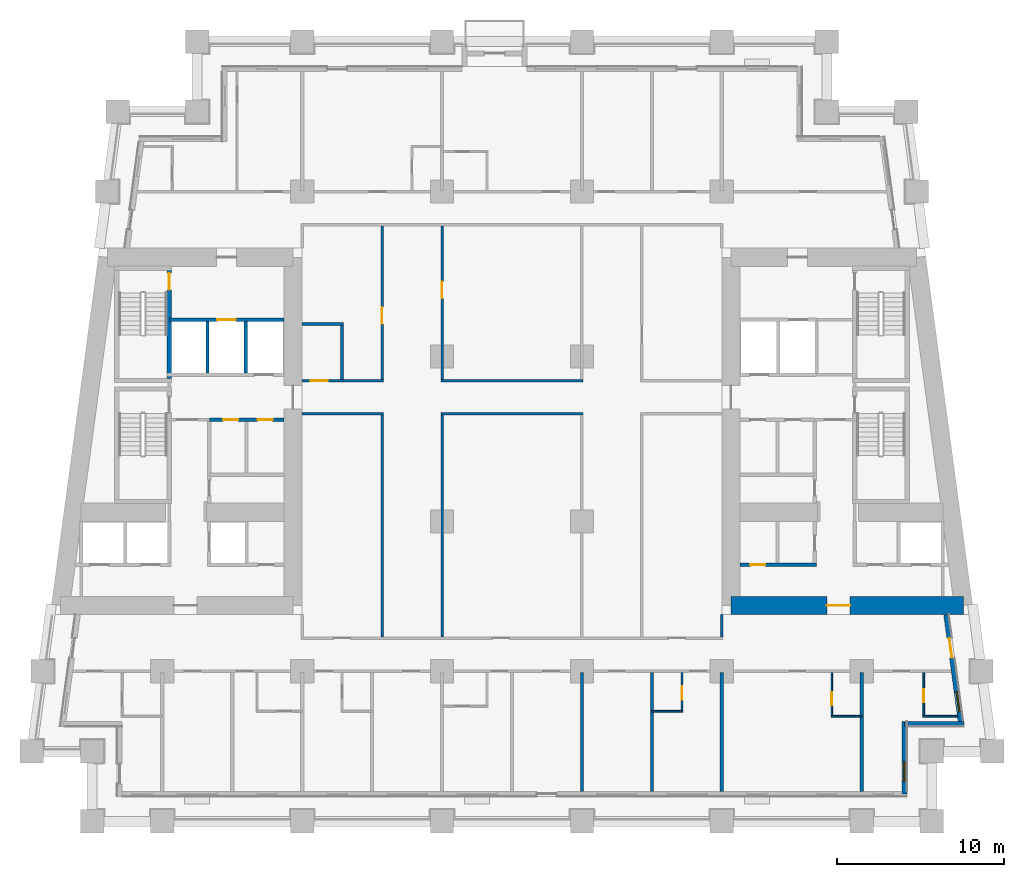
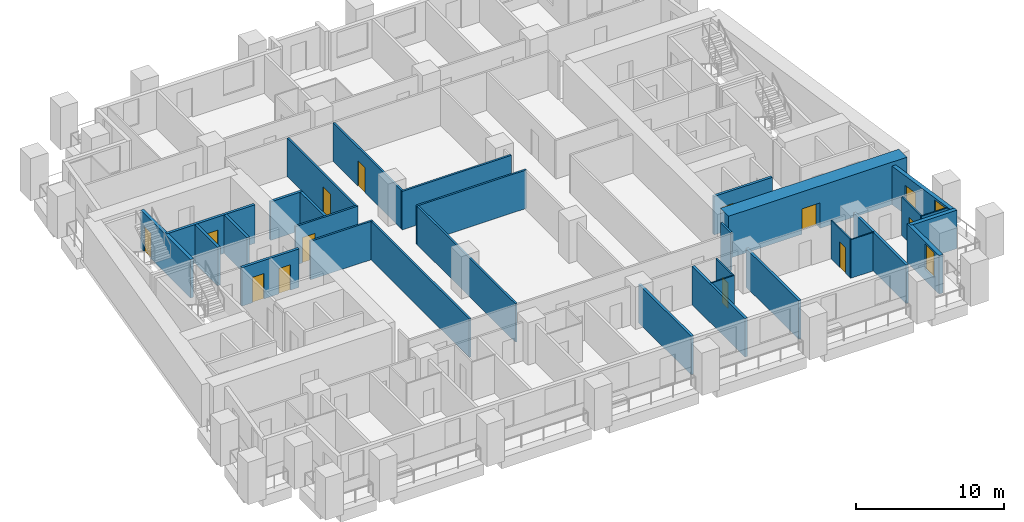
# One storey, part 4 of 12: 31 walls, 13 doors, 2 windows, 15 openings.
"""IFC4 building model written with IfcOpenShell, lengths in metres."""

from ifc_helpers import new_model, si_unit, direction, frame, frame_2d, origin, place, context, subcontext, project, spatial, rectangle, extrude, material, layer, layer_set, type_object, element, fill, save


model = new_model("IFC4")

# Units and contexts
model_context = context("Model", 3, precision=1e-05, world=origin(), true_north=direction((0.0, 1.0)))
body_context = subcontext(model_context, "Body", "Model", "MODEL_VIEW")
ifc_project = project(units=[si_unit("LENGTHUNIT", "METRE"), si_unit("AREAUNIT", "SQUARE_METRE"), si_unit("VOLUMEUNIT", "CUBIC_METRE"), si_unit("PLANEANGLEUNIT", "RADIAN"), si_unit("MASSUNIT", "GRAM", prefix="KILO")], contexts=[model_context])

# Site, building, storey
site_placement = place(None, origin())
site = spatial("IfcSite", under=ifc_project, at=site_placement, CompositionType="ELEMENT")
building_placement = place(site_placement, origin())
building = spatial("IfcBuilding", under=site, at=building_placement, Name="Candeia Pilgrim Tower and Theatre", CompositionType="ELEMENT")
storey_placement = place(building_placement, frame((0.0, 0.0, 53.0)))
storey = spatial("IfcBuildingStorey", under=building, at=storey_placement, Name="L10", CompositionType="ELEMENT", Elevation=53.0)

# Wall, opening, door
ifc_material_1 = material(Name="Concrete C80/95", Category="concrete")
ifc_layer_1 = layer(ifc_material_1, 1.10009765625)
ifc_layer_set_1 = layer_set([ifc_layer_1], Name="Core wall 1100 C80/95")
wall_type_1 = type_object("IfcWallType", Name="Core wall 1100 C80/95", PredefinedType="SHEAR", material=ifc_layer_set_1)
wall_1_placement = place(storey_placement, frame((140.501708984375, 110.949951171875, 0.0), z_axis=(0.0, 0.0, 1.0), x_axis=(-1.0, 0.0, 0.0)))
wall_1 = element("IfcWall", 1, at=wall_1_placement, inside=storey, type_object=wall_type_1, Name="Core wall E3", PredefinedType="SHEAR", context=body_context, shape_type="SweptSolid", body=[
    extrude(rectangle(XDim=13.95166015625, YDim=1.10009765625, at=frame_2d((6.975830078125, 0.0))), origin(), (0.0, 0.0, 1.0), 3.5),
])
opening_1_placement = place(wall_1_placement, frame((6.80419921875, 0.0, 0.0)))
opening_1 = element("IfcOpeningElement", 2, at=opening_1_placement, cuts=wall_1, Name="Opening L10-D055", PredefinedType="OPENING", context=body_context, shape_type="SweptSolid", body=[
    extrude(rectangle(XDim=1.39990234375, YDim=2.10009765625, at=frame_2d((0.699951171875, 1.050048828125))), frame((0.0, 0.56005859375, 0.0), z_axis=(0.0, -1.0, 0.0), x_axis=(1.0, 0.0, 0.0)), (0.0, 0.0, 1.0), 1.1201171875),
])
ifc_material_2 = material(Name="Steel fire door set", Category="steel")
door_type_1 = type_object("IfcDoorType", Name="D-1400-FD60", OperationType="NOTDEFINED", PredefinedType="DOOR", material=ifc_material_2)
door_1_placement = place(opening_1_placement, origin())
door_1 = element("IfcDoor", 3, at=door_1_placement, inside=storey, type_object=door_type_1, Name="Door L10-D055", OperationType="SINGLE_SWING_LEFT", OverallHeight=2.10009765625, OverallWidth=1.39990234375, PredefinedType="DOOR", context=body_context, shape_type="SweptSolid", body=[
    extrude(rectangle(XDim=1.39990234375, YDim=2.10009765625, at=frame_2d((0.699951171875, 1.050048828125))), frame((0.0, 0.02490234375, 0.0), z_axis=(0.0, -1.0, 0.0), x_axis=(1.0, 0.0, 0.0)), (0.0, 0.0, 1.0), 0.050048828125),
])
fill(opening_1, door_1)

# Wall, opening, window
ifc_material_3 = material(Name="Ceramic block masonry", Category="masonry")
ifc_layer_2 = layer(ifc_material_3, 0.300048828125)
ifc_layer_set_2 = layer_set([ifc_layer_2], Name="EW1 glazing-line wall 300")
wall_type_2 = type_object("IfcWallType", Name="EW1 glazing-line wall 300", PredefinedType="SOLIDWALL", material=ifc_layer_set_2)
wall_2_placement = place(storey_placement, frame((136.949951171875, 99.64990234375, 0.0), z_axis=(0.0, 0.0, 1.0), x_axis=(0.0, 1.0, 0.0)))
wall_2 = element("IfcWall", 4, at=wall_2_placement, inside=storey, type_object=wall_type_2, Name="External wall L10-1.0", PredefinedType="SOLIDWALL", context=body_context, shape_type="SweptSolid", body=[
    extrude(rectangle(XDim=4.35009765625, YDim=0.300048828125, at=frame_2d((2.175048828125, 0.0))), origin(), (0.0, 0.0, 1.0), 3.179931640625),
])
opening_2_placement = place(wall_2_placement, frame((0.72509765625, 0.0, 0.89990234375)))
opening_2 = element("IfcOpeningElement", 5, at=opening_2_placement, cuts=wall_2, Name="Opening W-B", PredefinedType="OPENING", context=body_context, shape_type="SweptSolid", body=[
    extrude(rectangle(XDim=1.199951171875, YDim=2.10009765625, at=frame_2d((0.60009765625, 1.050048828125))), frame((0.0, 0.16015625, 0.0), z_axis=(0.0, -1.0, 0.0), x_axis=(1.0, 0.0, 0.0)), (0.0, 0.0, 1.0), 0.320068359375),
])
ifc_material_4 = material(Name="Aluminium framed double glazing", Category="aluminium")
window_type = type_object("IfcWindowType", Name="W-B window 1200x2100", PartitioningType="SINGLE_PANEL", PredefinedType="WINDOW", material=ifc_material_4)
window_1_placement = place(opening_2_placement, origin())
window_1 = element("IfcWindow", 6, at=window_1_placement, inside=storey, type_object=window_type, Name="Window W-B L10", OverallHeight=2.10009765625, OverallWidth=1.199951171875, PartitioningType="SINGLE_PANEL", PredefinedType="WINDOW", context=body_context, shape_type="SweptSolid", body=[
    extrude(rectangle(XDim=1.199951171875, YDim=2.10009765625, at=frame_2d((0.60009765625, 1.050048828125))), frame((0.0, 0.030029296875, 0.0), z_axis=(0.0, -1.0, 0.0), x_axis=(1.0, 0.0, 0.0)), (0.0, 0.0, 1.0), 0.06005859375),
])
fill(opening_2, window_1)

# Wall
wall_3_placement = place(storey_placement, frame((136.949951171875, 103.85009765625, 0.0), z_axis=(0.0, 0.0, 1.0), x_axis=(1.0, 0.0, 0.0)))
element("IfcWall", 7, at=wall_3_placement, inside=storey, type_object=wall_type_2, Name="External wall L10-2.0", PredefinedType="SOLIDWALL", context=body_context, shape_type="SweptSolid", body=[
    extrude(rectangle(XDim=3.569091796875, YDim=0.300048828125, at=frame_2d((1.78466796875, 0.0))), origin(), (0.0, 0.0, 1.0), 3.179931640625),
])

# Wall, openings, door, window
wall_4_placement = place(storey_placement, frame((140.34765625, 103.85009765625, 0.0), z_axis=(0.0, 0.0, 1.0), x_axis=(-0.133431549479, 0.991058031401, 0.0)))
wall_4 = element("IfcWall", 8, at=wall_4_placement, inside=storey, type_object=wall_type_2, Name="External wall L10-3.0", PredefinedType="SOLIDWALL", context=body_context, shape_type="SweptSolid", body=[
    extrude(rectangle(XDim=6.60888671875, YDim=0.300048828125, at=frame_2d((3.304443359375, 0.0))), origin(), (0.0, 0.0, 1.0), 3.179931640625),
])
opening_3_placement = place(wall_4_placement, frame((0.736572265625, 0.0, 0.89990234375)))
opening_3 = element("IfcOpeningElement", 9, at=opening_3_placement, cuts=wall_4, Name="Opening W-B", PredefinedType="OPENING", context=body_context, shape_type="SweptSolid", body=[
    extrude(rectangle(XDim=1.199951171875, YDim=2.10009765625, at=frame_2d((0.60009765625, 1.050048828125))), frame((0.0, 0.16015625, 0.0), z_axis=(0.0, -1.0, 0.0), x_axis=(1.0, 0.0, 0.0)), (0.0, 0.0, 1.0), 0.320068359375),
])
opening_4_placement = place(wall_4_placement, frame((3.990966796875, 0.0, 0.0)))
opening_4 = element("IfcOpeningElement", 10, at=opening_4_placement, cuts=wall_4, Name="Opening L10-ED121", PredefinedType="OPENING", context=body_context, shape_type="SweptSolid", body=[
    extrude(rectangle(XDim=1.199951171875, YDim=2.39990234375, at=frame_2d((0.60009765625, 1.199951171875))), frame((0.0, 0.16015625, 0.0), z_axis=(0.0, -1.0, 0.0), x_axis=(1.0, 0.0, 0.0)), (0.0, 0.0, 1.0), 0.320068359375),
])
ifc_material_5 = material(Name="Aluminium framed glazed door", Category="aluminium")
door_type_2 = type_object("IfcDoorType", Name="Loggia door 1200x2400", OperationType="DOUBLE_DOOR_SINGLE_SWING", PredefinedType="DOOR", material=ifc_material_5)
door_2_placement = place(opening_4_placement, origin())
door_2 = element("IfcDoor", 11, at=door_2_placement, inside=storey, type_object=door_type_2, Name="Loggia door L10-ED121", OperationType="DOUBLE_DOOR_SINGLE_SWING", OverallHeight=2.39990234375, OverallWidth=1.199951171875, PredefinedType="DOOR", context=body_context, shape_type="SweptSolid", body=[
    extrude(rectangle(XDim=1.199951171875, YDim=2.39990234375, at=frame_2d((0.60009765625, 1.199951171875))), frame((0.0, 0.02490234375, 0.0), z_axis=(0.0, -1.0, 0.0), x_axis=(1.0, 0.0, 0.0)), (0.0, 0.0, 1.0), 0.050048828125),
])
fill(opening_4, door_2)
window_2_placement = place(opening_3_placement, origin())
window_2 = element("IfcWindow", 12, at=window_2_placement, inside=storey, type_object=window_type, Name="Window W-B L10", OverallHeight=2.10009765625, OverallWidth=1.199951171875, PartitioningType="SINGLE_PANEL", PredefinedType="WINDOW", context=body_context, shape_type="SweptSolid", body=[
    extrude(rectangle(XDim=1.199951171875, YDim=2.10009765625, at=frame_2d((0.60009765625, 1.050048828125))), frame((0.0, 0.030029296875, 0.0), z_axis=(0.0, -1.0, 0.0), x_axis=(1.0, 0.0, 0.0)), (0.0, 0.0, 1.0), 0.06005859375),
])
fill(opening_3, window_2)

# Walls
ifc_material_6 = material(Name="Gypsum board partition on steel studs", Category="steel")
ifc_layer_3 = layer(ifc_material_6, 0.10009765625)
ifc_layer_set_3 = layer_set([ifc_layer_3], Name="PW-100 room partition")
wall_type_3 = type_object("IfcWallType", Name="PW-100 room partition", PredefinedType="PARTITIONING", material=ifc_layer_set_3)
wall_5_placement = place(storey_placement, frame((132.550048828125, 104.300048828125, 0.0), z_axis=(0.0, 0.0, 1.0), x_axis=(1.0, 0.0, 0.0)))
element("IfcWall", 13, at=wall_5_placement, inside=storey, type_object=wall_type_3, Name="Room partition L10-002", PredefinedType="PARTITIONING", context=body_context, shape_type="SweptSolid", body=[
    extrude(rectangle(XDim=1.849853515625, YDim=0.10009765625, at=frame_2d((0.9248046875, 0.0))), origin(), (0.0, 0.0, 1.0), 3.179931640625),
])
wall_6_placement = place(storey_placement, frame((138.070068359375, 104.300048828125, 0.0), z_axis=(0.0, 0.0, 1.0), x_axis=(1.0, 0.0, 0.0)))
element("IfcWall", 14, at=wall_6_placement, inside=storey, type_object=wall_type_3, Name="Room partition L10-003", PredefinedType="PARTITIONING", context=body_context, shape_type="SweptSolid", body=[
    extrude(rectangle(XDim=2.07568359375, YDim=0.10009765625, at=frame_2d((1.037841796875, 0.0))), origin(), (0.0, 0.0, 1.0), 3.179931640625),
])
wall_7_placement = place(storey_placement, frame((121.800048828125, 104.60009765625, 0.0), z_axis=(0.0, 0.0, 1.0), x_axis=(1.0, 0.0, 0.0)))
element("IfcWall", 15, at=wall_7_placement, inside=storey, type_object=wall_type_3, Name="Room partition L10-006", PredefinedType="PARTITIONING", context=body_context, shape_type="SweptSolid", body=[
    extrude(rectangle(XDim=1.849853515625, YDim=0.10009765625, at=frame_2d((0.9248046875, 0.0))), origin(), (0.0, 0.0, 1.0), 3.179931640625),
])

# Wall, opening, door
wall_8_placement = place(storey_placement, frame((123.60009765625, 104.64990234375, 0.0), z_axis=(0.0, 0.0, 1.0), x_axis=(0.0, 1.0, 0.0)))
wall_8 = element("IfcWall", 16, at=wall_8_placement, inside=storey, type_object=wall_type_3, Name="Room partition L10-094", PredefinedType="PARTITIONING", context=body_context, shape_type="SweptSolid", body=[
    extrude(rectangle(XDim=2.275146484375, YDim=0.10009765625, at=frame_2d((1.1376953125, 0.0))), origin(), (0.0, 0.0, 1.0), 3.179931640625),
])
opening_5_placement = place(wall_8_placement, frame((0.659912109375, 0.0, 0.0)))
opening_5 = element("IfcOpeningElement", 17, at=opening_5_placement, cuts=wall_8, Name="Opening L10-D030", PredefinedType="OPENING", context=body_context, shape_type="SweptSolid", body=[
    extrude(rectangle(XDim=0.800048828125, YDim=2.10009765625, at=frame_2d((0.39990234375, 1.050048828125))), frame((0.0, 0.06005859375, 0.0), z_axis=(0.0, -1.0, 0.0), x_axis=(1.0, 0.0, 0.0)), (0.0, 0.0, 1.0), 0.1201171875),
])
ifc_material_7 = material(Name="Timber door leaf", Category="wood")
door_type_3 = type_object("IfcDoorType", Name="D-800", OperationType="NOTDEFINED", PredefinedType="DOOR", material=ifc_material_7)
door_3_placement = place(opening_5_placement, origin())
door_3 = element("IfcDoor", 18, at=door_3_placement, inside=storey, type_object=door_type_3, Name="Door L10-D030", OperationType="SINGLE_SWING_RIGHT", OverallHeight=2.10009765625, OverallWidth=0.800048828125, PredefinedType="DOOR", context=body_context, shape_type="SweptSolid", body=[
    extrude(rectangle(XDim=0.800048828125, YDim=2.10009765625, at=frame_2d((0.39990234375, 1.050048828125))), frame((0.0, 0.02490234375, 0.0), z_axis=(0.0, -1.0, 0.0), x_axis=(1.0, 0.0, 0.0)), (0.0, 0.0, 1.0), 0.050048828125),
])
fill(opening_5, door_3)

wall_9_placement = place(storey_placement, frame((132.60009765625, 104.35009765625, 0.0), z_axis=(0.0, 0.0, 1.0), x_axis=(0.0, 1.0, 0.0)))
wall_9 = element("IfcWall", 19, at=wall_9_placement, inside=storey, type_object=wall_type_3, Name="Room partition L10-106", PredefinedType="PARTITIONING", context=body_context, shape_type="SweptSolid", body=[
    extrude(rectangle(XDim=2.574951171875, YDim=0.10009765625, at=frame_2d((1.28759765625, 0.0))), origin(), (0.0, 0.0, 1.0), 3.179931640625),
])
opening_6_placement = place(wall_9_placement, frame((0.60009765625, 0.0, 0.0)))
opening_6 = element("IfcOpeningElement", 20, at=opening_6_placement, cuts=wall_9, Name="Opening L10-D032", PredefinedType="OPENING", context=body_context, shape_type="SweptSolid", body=[
    extrude(rectangle(XDim=0.800048828125, YDim=2.10009765625, at=frame_2d((0.39990234375, 1.050048828125))), frame((0.0, 0.06005859375, 0.0), z_axis=(0.0, -1.0, 0.0), x_axis=(1.0, 0.0, 0.0)), (0.0, 0.0, 1.0), 0.1201171875),
])
door_4_placement = place(opening_6_placement, origin())
door_4 = element("IfcDoor", 21, at=door_4_placement, inside=storey, type_object=door_type_3, Name="Door L10-D032", OperationType="SINGLE_SWING_RIGHT", OverallHeight=2.10009765625, OverallWidth=0.800048828125, PredefinedType="DOOR", context=body_context, shape_type="SweptSolid", body=[
    extrude(rectangle(XDim=0.800048828125, YDim=2.10009765625, at=frame_2d((0.39990234375, 1.050048828125))), frame((0.0, 0.02490234375, 0.0), z_axis=(0.0, -1.0, 0.0), x_axis=(1.0, 0.0, 0.0)), (0.0, 0.0, 1.0), 0.050048828125),
])
fill(opening_6, door_4)

wall_10_placement = place(storey_placement, frame((138.1201171875, 104.35009765625, 0.0), z_axis=(0.0, 0.0, 1.0), x_axis=(0.0, 1.0, 0.0)))
wall_10 = element("IfcWall", 22, at=wall_10_placement, inside=storey, type_object=wall_type_3, Name="Room partition L10-116", PredefinedType="PARTITIONING", context=body_context, shape_type="SweptSolid", body=[
    extrude(rectangle(XDim=2.574951171875, YDim=0.10009765625, at=frame_2d((1.28759765625, 0.0))), origin(), (0.0, 0.0, 1.0), 3.179931640625),
])
opening_7_placement = place(wall_10_placement, frame((0.780029296875, 0.0, 0.0)))
opening_7 = element("IfcOpeningElement", 23, at=opening_7_placement, cuts=wall_10, Name="Opening L10-D034", PredefinedType="OPENING", context=body_context, shape_type="SweptSolid", body=[
    extrude(rectangle(XDim=0.800048828125, YDim=2.10009765625, at=frame_2d((0.39990234375, 1.050048828125))), frame((0.0, 0.06005859375, 0.0), z_axis=(0.0, -1.0, 0.0), x_axis=(1.0, 0.0, 0.0)), (0.0, 0.0, 1.0), 0.1201171875),
])
door_5_placement = place(opening_7_placement, origin())
door_5 = element("IfcDoor", 24, at=door_5_placement, inside=storey, type_object=door_type_3, Name="Door L10-D034", OperationType="SINGLE_SWING_RIGHT", OverallHeight=2.10009765625, OverallWidth=0.800048828125, PredefinedType="DOOR", context=body_context, shape_type="SweptSolid", body=[
    extrude(rectangle(XDim=0.800048828125, YDim=2.10009765625, at=frame_2d((0.39990234375, 1.050048828125))), frame((0.0, 0.02490234375, 0.0), z_axis=(0.0, -1.0, 0.0), x_axis=(1.0, 0.0, 0.0)), (0.0, 0.0, 1.0), 0.050048828125),
])
fill(opening_7, door_5)

# Walls
ifc_layer_4 = layer(ifc_material_6, 0.14990234375)
ifc_layer_set_4 = layer_set([ifc_layer_4], Name="PW-150 unit wall")
wall_type_4 = type_object("IfcWallType", Name="PW-150 unit wall", PredefinedType="PARTITIONING", material=ifc_layer_set_4)
wall_11_placement = place(storey_placement, frame((100.800048828125, 122.449951171875, 0.0), z_axis=(0.0, 0.0, 1.0), x_axis=(1.0, 0.0, 0.0)))
element("IfcWall", 25, at=wall_11_placement, inside=storey, type_object=wall_type_4, Name="Unit wall L10-022", PredefinedType="PARTITIONING", context=body_context, shape_type="SweptSolid", body=[
    extrude(rectangle(XDim=4.875, YDim=0.14990234375, at=frame_2d((2.4375, 0.0))), origin(), (0.0, 0.0, 1.0), 3.179931640625),
])
wall_12_placement = place(storey_placement, frame((109.125, 122.449951171875, 0.0), z_axis=(0.0, 0.0, 1.0), x_axis=(1.0, 0.0, 0.0)))
element("IfcWall", 26, at=wall_12_placement, inside=storey, type_object=wall_type_4, Name="Unit wall L10-023", PredefinedType="PARTITIONING", context=body_context, shape_type="SweptSolid", body=[
    extrude(rectangle(XDim=8.550048828125, YDim=0.14990234375, at=frame_2d((4.27490234375, 0.0))), origin(), (0.0, 0.0, 1.0), 3.179931640625),
])

# Wall, opening, door
wall_13_placement = place(storey_placement, frame((100.800048828125, 124.449951171875, 0.0), z_axis=(0.0, 0.0, 1.0), x_axis=(1.0, 0.0, 0.0)))
wall_13 = element("IfcWall", 27, at=wall_13_placement, inside=storey, type_object=wall_type_4, Name="Unit wall L10-029", PredefinedType="PARTITIONING", context=body_context, shape_type="SweptSolid", body=[
    extrude(rectangle(XDim=4.875, YDim=0.14990234375, at=frame_2d((2.4375, 0.0))), origin(), (0.0, 0.0, 1.0), 3.179931640625),
])
opening_8_placement = place(wall_13_placement, frame((0.52490234375, 0.0, 0.0)))
opening_8 = element("IfcOpeningElement", 28, at=opening_8_placement, cuts=wall_13, Name="Opening L10-D049", PredefinedType="OPENING", context=body_context, shape_type="SweptSolid", body=[
    extrude(rectangle(XDim=1.0, YDim=2.10009765625, at=frame_2d((0.5, 1.050048828125))), frame((0.0, 0.0849609375, 0.0), z_axis=(0.0, -1.0, 0.0), x_axis=(1.0, 0.0, 0.0)), (0.0, 0.0, 1.0), 0.169921875),
])
door_type_4 = type_object("IfcDoorType", Name="D-1000-FD30S", OperationType="NOTDEFINED", PredefinedType="DOOR", material=ifc_material_2)
door_6_placement = place(opening_8_placement, origin())
door_6 = element("IfcDoor", 29, at=door_6_placement, inside=storey, type_object=door_type_4, Name="Door L10-D049", OperationType="SINGLE_SWING_LEFT", OverallHeight=2.10009765625, OverallWidth=1.0, PredefinedType="DOOR", context=body_context, shape_type="SweptSolid", body=[
    extrude(rectangle(XDim=1.0, YDim=2.10009765625, at=frame_2d((0.5, 1.050048828125))), frame((0.0, 0.02490234375, 0.0), z_axis=(0.0, -1.0, 0.0), x_axis=(1.0, 0.0, 0.0)), (0.0, 0.0, 1.0), 0.050048828125),
])
fill(opening_8, door_6)

# Walls
wall_14_placement = place(storey_placement, frame((109.125, 124.449951171875, 0.0), z_axis=(0.0, 0.0, 1.0), x_axis=(1.0, 0.0, 0.0)))
element("IfcWall", 30, at=wall_14_placement, inside=storey, type_object=wall_type_4, Name="Unit wall L10-030", PredefinedType="PARTITIONING", context=body_context, shape_type="SweptSolid", body=[
    extrude(rectangle(XDim=8.550048828125, YDim=0.14990234375, at=frame_2d((4.27490234375, 0.0))), origin(), (0.0, 0.0, 1.0), 3.179931640625),
])
wall_15_placement = place(storey_placement, frame((105.60009765625, 109.074951171875, 0.0), z_axis=(0.0, 0.0, 1.0), x_axis=(0.0, 1.0, 0.0)))
element("IfcWall", 31, at=wall_15_placement, inside=storey, type_object=wall_type_4, Name="Unit wall L10-076", PredefinedType="PARTITIONING", context=body_context, shape_type="SweptSolid", body=[
    extrude(rectangle(XDim=13.300048828125, YDim=0.14990234375, at=frame_2d((6.64990234375, 0.0))), origin(), (0.0, 0.0, 1.0), 3.179931640625),
])

# Wall, opening, door
wall_16_placement = place(storey_placement, frame((105.60009765625, 124.52490234375, 0.0), z_axis=(0.0, 0.0, 1.0), x_axis=(0.0, 1.0, 0.0)))
wall_16 = element("IfcWall", 32, at=wall_16_placement, inside=storey, type_object=wall_type_4, Name="Unit wall L10-077", PredefinedType="PARTITIONING", context=body_context, shape_type="SweptSolid", body=[
    extrude(rectangle(XDim=9.2001953125, YDim=0.14990234375, at=frame_2d((4.60009765625, 0.0))), origin(), (0.0, 0.0, 1.0), 3.179931640625),
])
opening_9_placement = place(wall_16_placement, frame((3.3349609375, 0.0, 0.0)))
opening_9 = element("IfcOpeningElement", 33, at=opening_9_placement, cuts=wall_16, Name="Opening L10-D045", PredefinedType="OPENING", context=body_context, shape_type="SweptSolid", body=[
    extrude(rectangle(XDim=1.0, YDim=2.10009765625, at=frame_2d((0.5, 1.050048828125))), frame((0.0, 0.0849609375, 0.0), z_axis=(0.0, -1.0, 0.0), x_axis=(1.0, 0.0, 0.0)), (0.0, 0.0, 1.0), 0.169921875),
])
door_7_placement = place(opening_9_placement, origin())
door_7 = element("IfcDoor", 34, at=door_7_placement, inside=storey, type_object=door_type_4, Name="Door L10-D045", OperationType="SINGLE_SWING_LEFT", OverallHeight=2.10009765625, OverallWidth=1.0, PredefinedType="DOOR", context=body_context, shape_type="SweptSolid", body=[
    extrude(rectangle(XDim=1.0, YDim=2.10009765625, at=frame_2d((0.5, 1.050048828125))), frame((0.0, 0.02490234375, 0.0), z_axis=(0.0, -1.0, 0.0), x_axis=(1.0, 0.0, 0.0)), (0.0, 0.0, 1.0), 0.050048828125),
])
fill(opening_9, door_7)

# Wall
wall_17_placement = place(storey_placement, frame((109.199951171875, 109.074951171875, 0.0), z_axis=(0.0, 0.0, 1.0), x_axis=(0.0, 1.0, 0.0)))
element("IfcWall", 35, at=wall_17_placement, inside=storey, type_object=wall_type_4, Name="Unit wall L10-081", PredefinedType="PARTITIONING", context=body_context, shape_type="SweptSolid", body=[
    extrude(rectangle(XDim=13.300048828125, YDim=0.14990234375, at=frame_2d((6.64990234375, 0.0))), origin(), (0.0, 0.0, 1.0), 3.179931640625),
])

# Wall, opening, door
wall_18_placement = place(storey_placement, frame((109.199951171875, 124.52490234375, 0.0), z_axis=(0.0, 0.0, 1.0), x_axis=(0.0, 1.0, 0.0)))
wall_18 = element("IfcWall", 36, at=wall_18_placement, inside=storey, type_object=wall_type_4, Name="Unit wall L10-082", PredefinedType="PARTITIONING", context=body_context, shape_type="SweptSolid", body=[
    extrude(rectangle(XDim=9.2001953125, YDim=0.14990234375, at=frame_2d((4.60009765625, 0.0))), origin(), (0.0, 0.0, 1.0), 3.179931640625),
])
opening_10_placement = place(wall_18_placement, frame((4.864990234375, 0.0, 0.0)))
opening_10 = element("IfcOpeningElement", 37, at=opening_10_placement, cuts=wall_18, Name="Opening L10-D050", PredefinedType="OPENING", context=body_context, shape_type="SweptSolid", body=[
    extrude(rectangle(XDim=1.0, YDim=2.10009765625, at=frame_2d((0.5, 1.050048828125))), frame((0.0, 0.0849609375, 0.0), z_axis=(0.0, -1.0, 0.0), x_axis=(1.0, 0.0, 0.0)), (0.0, 0.0, 1.0), 0.169921875),
])
door_8_placement = place(opening_10_placement, origin())
door_8 = element("IfcDoor", 38, at=door_8_placement, inside=storey, type_object=door_type_4, Name="Door L10-D050", OperationType="SINGLE_SWING_RIGHT", OverallHeight=2.10009765625, OverallWidth=1.0, PredefinedType="DOOR", context=body_context, shape_type="SweptSolid", body=[
    extrude(rectangle(XDim=1.0, YDim=2.10009765625, at=frame_2d((0.5, 1.050048828125))), frame((0.0, 0.02490234375, 0.0), z_axis=(0.0, -1.0, 0.0), x_axis=(1.0, 0.0, 0.0)), (0.0, 0.0, 1.0), 0.050048828125),
])
fill(opening_10, door_8)

# Walls
wall_19_placement = place(storey_placement, frame((126.0, 109.074951171875, 0.0), z_axis=(0.0, 0.0, 1.0), x_axis=(0.0, 1.0, 0.0)))
element("IfcWall", 39, at=wall_19_placement, inside=storey, type_object=wall_type_4, Name="Unit wall L10-097", PredefinedType="PARTITIONING", context=body_context, shape_type="SweptSolid", body=[
    extrude(rectangle(XDim=1.324951171875, YDim=0.14990234375, at=frame_2d((0.66259765625, 0.0))), origin(), (0.0, 0.0, 1.0), 3.179931640625),
])
ifc_layer_5 = layer(ifc_material_6, 0.199951171875)
ifc_layer_set_5 = layer_set([ifc_layer_5], Name="PW-200 party wall")
wall_type_5 = type_object("IfcWallType", Name="PW-200 party wall", PredefinedType="PARTITIONING", material=ifc_layer_set_5)
wall_20_placement = place(storey_placement, frame((100.800048828125, 127.85009765625, 0.0), z_axis=(0.0, 0.0, 1.0), x_axis=(1.0, 0.0, 0.0)))
element("IfcWall", 40, at=wall_20_placement, inside=storey, type_object=wall_type_5, Name="Party wall L10-035", PredefinedType="PARTITIONING", context=body_context, shape_type="SweptSolid", body=[
    extrude(rectangle(XDim=2.5, YDim=0.199951171875, at=frame_2d((1.25, 0.0))), origin(), (0.0, 0.0, 1.0), 3.179931640625),
])
wall_21_placement = place(storey_placement, frame((103.199951171875, 124.52490234375, 0.0), z_axis=(0.0, 0.0, 1.0), x_axis=(0.0, 1.0, 0.0)))
element("IfcWall", 41, at=wall_21_placement, inside=storey, type_object=wall_type_5, Name="Party wall L10-074", PredefinedType="PARTITIONING", context=body_context, shape_type="SweptSolid", body=[
    extrude(rectangle(XDim=3.22509765625, YDim=0.199951171875, at=frame_2d((1.612548828125, 0.0))), origin(), (0.0, 0.0, 1.0), 3.179931640625),
])
for number, where, z_axis, x_axis, name in (
    (42, (117.60009765625, 99.7900390625, 0.0), (0.0, 0.0, 1.0), (0.0, 1.0, 0.0), "Party wall L10-086"),
    (43, (121.800048828125, 99.7900390625, 0.0), (0.0, 0.0, 1.0), (0.0, 1.0, 0.0), "Party wall L10-092"),
    (44, (126.0, 99.7900390625, 0.0), (0.0, 0.0, 1.0), (0.0, 1.0, 0.0), "Party wall L10-095"),
    (45, (134.39990234375, 99.7900390625, 0.0), (0.0, 0.0, 1.0), (0.0, 1.0, 0.0), "Party wall L10-112"),
):
    element("IfcWall", number, at=place(storey_placement, frame(where, z_axis=z_axis, x_axis=x_axis)), inside=storey, type_object=wall_type_5, Name=name, PredefinedType="PARTITIONING", context=body_context, shape_type="SweptSolid", body=[
        extrude(rectangle(XDim=7.135009765625, YDim=0.199951171875, at=frame_2d((3.5673828125, 0.0))), origin(), (0.0, 0.0, 1.0), 3.179931640625),
    ])

# Wall, opening, door
ifc_material_8 = material(Name="Concrete C40/50", Category="concrete")
ifc_layer_6 = layer(ifc_material_8, 0.199951171875)
ifc_layer_set_6 = layer_set([ifc_layer_6], Name="SW-200 shaft wall")
wall_type_6 = type_object("IfcWallType", Name="SW-200 shaft wall", PredefinedType="PARTITIONING", material=ifc_layer_set_6)
wall_22_placement = place(storey_placement, frame((127.10009765625, 113.39990234375, 0.0), z_axis=(0.0, 0.0, 1.0), x_axis=(1.0, 0.0, 0.0)))
wall_22 = element("IfcWall", 46, at=wall_22_placement, inside=storey, type_object=wall_type_6, Name="Shaft wall L10-012", PredefinedType="PARTITIONING", context=body_context, shape_type="SweptSolid", body=[
    extrude(rectangle(XDim=4.572998046875, YDim=0.199951171875, at=frame_2d((2.28662109375, 0.0))), origin(), (0.0, 0.0, 1.0), 3.179931640625),
])
opening_11_placement = place(wall_22_placement, frame((0.60498046875, 0.0, 0.0)))
opening_11 = element("IfcOpeningElement", 47, at=opening_11_placement, cuts=wall_22, Name="Opening L10-D016", PredefinedType="OPENING", context=body_context, shape_type="SweptSolid", body=[
    extrude(rectangle(XDim=0.89990234375, YDim=2.10009765625, at=frame_2d((0.449951171875, 1.050048828125))), frame((0.0, 0.10986328125, 0.0), z_axis=(0.0, -1.0, 0.0), x_axis=(1.0, 0.0, 0.0)), (0.0, 0.0, 1.0), 0.219970703125),
])
door_type_5 = type_object("IfcDoorType", Name="D-900-FD60", OperationType="NOTDEFINED", PredefinedType="DOOR", material=ifc_material_2)
door_9_placement = place(opening_11_placement, origin())
door_9 = element("IfcDoor", 48, at=door_9_placement, inside=storey, type_object=door_type_5, Name="Door L10-D016", OperationType="SINGLE_SWING_RIGHT", OverallHeight=2.10009765625, OverallWidth=0.89990234375, PredefinedType="DOOR", context=body_context, shape_type="SweptSolid", body=[
    extrude(rectangle(XDim=0.89990234375, YDim=2.10009765625, at=frame_2d((0.449951171875, 1.050048828125))), frame((0.0, 0.02490234375, 0.0), z_axis=(0.0, -1.0, 0.0), x_axis=(1.0, 0.0, 0.0)), (0.0, 0.0, 1.0), 0.050048828125),
])
fill(opening_11, door_9)

# Wall, openings, doors
wall_23_placement = place(storey_placement, frame((95.22705078125, 122.10009765625, 0.0), z_axis=(0.0, 0.0, 1.0), x_axis=(1.0, 0.0, 0.0)))
wall_23 = element("IfcWall", 49, at=wall_23_placement, inside=storey, type_object=wall_type_6, Name="Shaft wall L10-018", PredefinedType="PARTITIONING", context=body_context, shape_type="SweptSolid", body=[
    extrude(rectangle(XDim=4.472900390625, YDim=0.199951171875, at=frame_2d((2.236328125, 0.0))), origin(), (0.0, 0.0, 1.0), 3.179931640625),
])
opening_12_placement = place(wall_23_placement, frame((0.826904296875, 0.0, 0.0)))
opening_12 = element("IfcOpeningElement", 50, at=opening_12_placement, cuts=wall_23, Name="Opening L10-D002", PredefinedType="OPENING", context=body_context, shape_type="SweptSolid", body=[
    extrude(rectangle(XDim=0.89990234375, YDim=2.10009765625, at=frame_2d((0.449951171875, 1.050048828125))), frame((0.0, 0.10986328125, 0.0), z_axis=(0.0, -1.0, 0.0), x_axis=(1.0, 0.0, 0.0)), (0.0, 0.0, 1.0), 0.219970703125),
])
opening_13_placement = place(wall_23_placement, frame((2.905029296875, 0.0, 0.0)))
opening_13 = element("IfcOpeningElement", 51, at=opening_13_placement, cuts=wall_23, Name="Opening L10-D003", PredefinedType="OPENING", context=body_context, shape_type="SweptSolid", body=[
    extrude(rectangle(XDim=0.89990234375, YDim=2.10009765625, at=frame_2d((0.449951171875, 1.050048828125))), frame((0.0, 0.10986328125, 0.0), z_axis=(0.0, -1.0, 0.0), x_axis=(1.0, 0.0, 0.0)), (0.0, 0.0, 1.0), 0.219970703125),
])
door_10_placement = place(opening_12_placement, origin())
door_10 = element("IfcDoor", 52, at=door_10_placement, inside=storey, type_object=door_type_5, Name="Door L10-D002", OperationType="SINGLE_SWING_RIGHT", OverallHeight=2.10009765625, OverallWidth=0.89990234375, PredefinedType="DOOR", context=body_context, shape_type="SweptSolid", body=[
    extrude(rectangle(XDim=0.89990234375, YDim=2.10009765625, at=frame_2d((0.449951171875, 1.050048828125))), frame((0.0, 0.02490234375, 0.0), z_axis=(0.0, -1.0, 0.0), x_axis=(1.0, 0.0, 0.0)), (0.0, 0.0, 1.0), 0.050048828125),
])
fill(opening_12, door_10)
door_11_placement = place(opening_13_placement, origin())
door_11 = element("IfcDoor", 53, at=door_11_placement, inside=storey, type_object=door_type_5, Name="Door L10-D003", OperationType="SINGLE_SWING_LEFT", OverallHeight=2.10009765625, OverallWidth=0.89990234375, PredefinedType="DOOR", context=body_context, shape_type="SweptSolid", body=[
    extrude(rectangle(XDim=0.89990234375, YDim=2.10009765625, at=frame_2d((0.449951171875, 1.050048828125))), frame((0.0, 0.02490234375, 0.0), z_axis=(0.0, -1.0, 0.0), x_axis=(1.0, 0.0, 0.0)), (0.0, 0.0, 1.0), 0.050048828125),
])
fill(opening_13, door_11)

# Wall, opening, door
wall_24_placement = place(storey_placement, frame((92.826904296875, 128.10009765625, 0.0), z_axis=(0.0, 0.0, 1.0), x_axis=(1.0, 0.0, 0.0)))
wall_24 = element("IfcWall", 54, at=wall_24_placement, inside=storey, type_object=wall_type_6, Name="Shaft wall L10-036", PredefinedType="PARTITIONING", context=body_context, shape_type="SweptSolid", body=[
    extrude(rectangle(XDim=6.873046875, YDim=0.199951171875, at=frame_2d((3.4365234375, 0.0))), origin(), (0.0, 0.0, 1.0), 3.179931640625),
])
opening_14_placement = place(wall_24_placement, frame((2.886962890625, 0.0, 0.0)))
opening_14 = element("IfcOpeningElement", 55, at=opening_14_placement, cuts=wall_24, Name="Opening L10-LD01", PredefinedType="OPENING", context=body_context, shape_type="SweptSolid", body=[
    extrude(rectangle(XDim=1.10009765625, YDim=2.10009765625, at=frame_2d((0.550048828125, 1.050048828125))), frame((0.0, 0.10986328125, 0.0), z_axis=(0.0, -1.0, 0.0), x_axis=(1.0, 0.0, 0.0)), (0.0, 0.0, 1.0), 0.219970703125),
])
ifc_material_9 = material(Name="Glazed aluminium landing door", Category="aluminium")
door_type_6 = type_object("IfcDoorType", Name="LD-1100-EI120", OperationType="SLIDING_TO_LEFT", PredefinedType="DOOR", material=ifc_material_9)
door_12_placement = place(opening_14_placement, origin())
door_12 = element("IfcDoor", 56, at=door_12_placement, inside=storey, type_object=door_type_6, Name="Landing door 01 L10", OperationType="SLIDING_TO_LEFT", OverallHeight=2.10009765625, OverallWidth=1.10009765625, PredefinedType="DOOR", context=body_context, shape_type="SweptSolid", body=[
    extrude(rectangle(XDim=1.10009765625, YDim=2.10009765625, at=frame_2d((0.550048828125, 1.050048828125))), frame((0.0, 0.02490234375, 0.0), z_axis=(0.0, -1.0, 0.0), x_axis=(1.0, 0.0, 0.0)), (0.0, 0.0, 1.0), 0.050048828125),
])
fill(opening_14, door_12)

# Walls
for number, where, z_axis, x_axis, name in (
    (57, (95.117919921875, 124.89990234375, 0.0), (0.0, 0.0, 1.0), (0.0, 1.0, 0.0), "Shaft wall L10-060"),
    (58, (97.408935546875, 124.89990234375, 0.0), (0.0, 0.0, 1.0), (0.0, 1.0, 0.0), "Shaft wall L10-065"),
):
    element("IfcWall", number, at=place(storey_placement, frame(where, z_axis=z_axis, x_axis=x_axis)), inside=storey, type_object=wall_type_6, Name=name, PredefinedType="PARTITIONING", context=body_context, shape_type="SweptSolid", body=[
        extrude(rectangle(XDim=3.10009765625, YDim=0.199951171875, at=frame_2d((1.550048828125, 0.0))), origin(), (0.0, 0.0, 1.0), 3.179931640625),
    ])

# Wall, opening, door
ifc_layer_7 = layer(ifc_material_8, 0.25)
ifc_layer_set_7 = layer_set([ifc_layer_7], Name="SW-250 stair wall")
wall_type_7 = type_object("IfcWallType", Name="SW-250 stair wall", PredefinedType="PARTITIONING", material=ifc_layer_set_7)
wall_25_placement = place(storey_placement, frame((92.826904296875, 124.574951171875, 0.0), z_axis=(0.0, 0.0, 1.0), x_axis=(0.0, 1.0, 0.0)))
wall_25 = element("IfcWall", 59, at=wall_25_placement, inside=storey, type_object=wall_type_7, Name="Stair wall L10-057", PredefinedType="PARTITIONING", context=body_context, shape_type="SweptSolid", body=[
    extrude(rectangle(XDim=6.755126953125, YDim=0.25, at=frame_2d((3.37744140625, 0.0))), origin(), (0.0, 0.0, 1.0), 3.179931640625),
])
opening_15_placement = place(wall_25_placement, frame((5.324951171875, 0.0, 0.0)))
opening_15 = element("IfcOpeningElement", 60, at=opening_15_placement, cuts=wall_25, Name="Opening L10-D005", PredefinedType="OPENING", context=body_context, shape_type="SweptSolid", body=[
    extrude(rectangle(XDim=1.0, YDim=2.10009765625, at=frame_2d((0.5, 1.050048828125))), frame((0.0, 0.135009765625, 0.0), z_axis=(0.0, -1.0, 0.0), x_axis=(1.0, 0.0, 0.0)), (0.0, 0.0, 1.0), 0.27001953125),
])
door_type_7 = type_object("IfcDoorType", Name="D-1000-FD60", OperationType="NOTDEFINED", PredefinedType="DOOR", material=ifc_material_2)
door_13_placement = place(opening_15_placement, origin())
door_13 = element("IfcDoor", 61, at=door_13_placement, inside=storey, type_object=door_type_7, Name="Door L10-D005", OperationType="SINGLE_SWING_LEFT", OverallHeight=2.10009765625, OverallWidth=1.0, PredefinedType="DOOR", context=body_context, shape_type="SweptSolid", body=[
    extrude(rectangle(XDim=1.0, YDim=2.10009765625, at=frame_2d((0.5, 1.050048828125))), frame((0.0, 0.02490234375, 0.0), z_axis=(0.0, -1.0, 0.0), x_axis=(1.0, 0.0, 0.0)), (0.0, 0.0, 1.0), 0.050048828125),
])
fill(opening_15, door_13)

save(model, "model.ifc")
